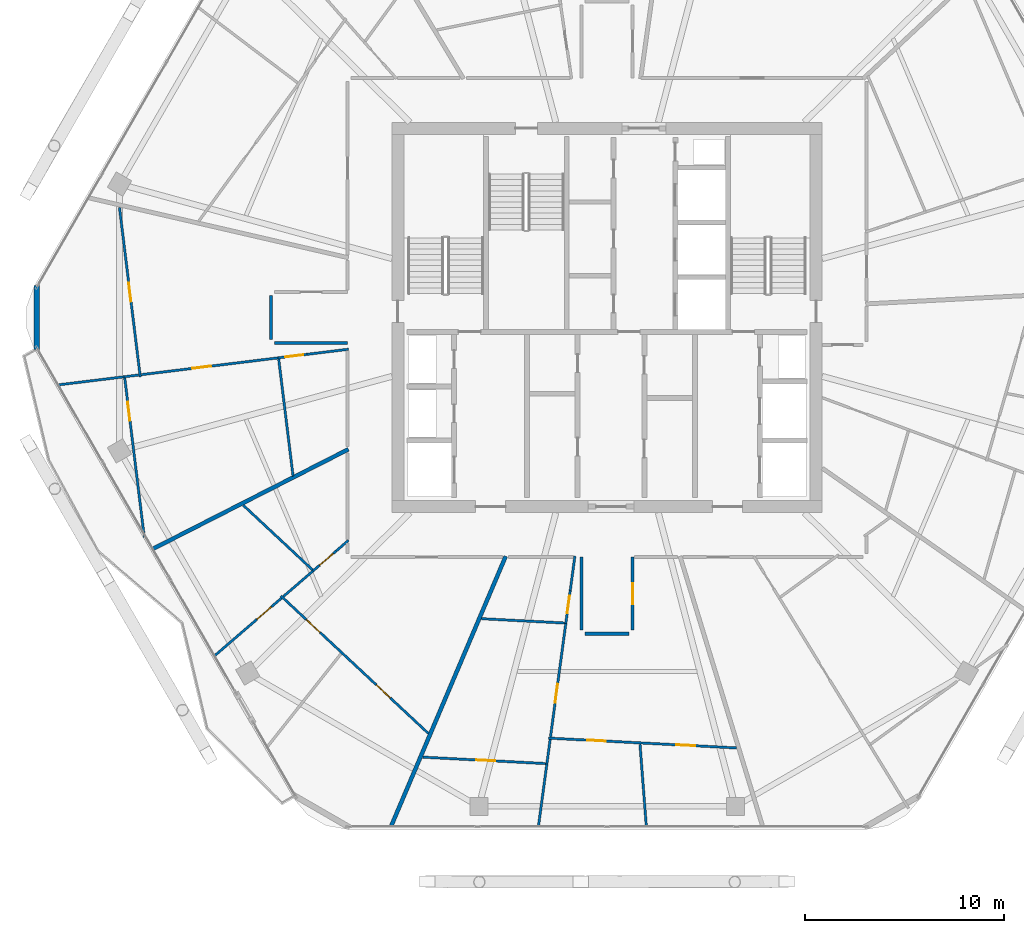
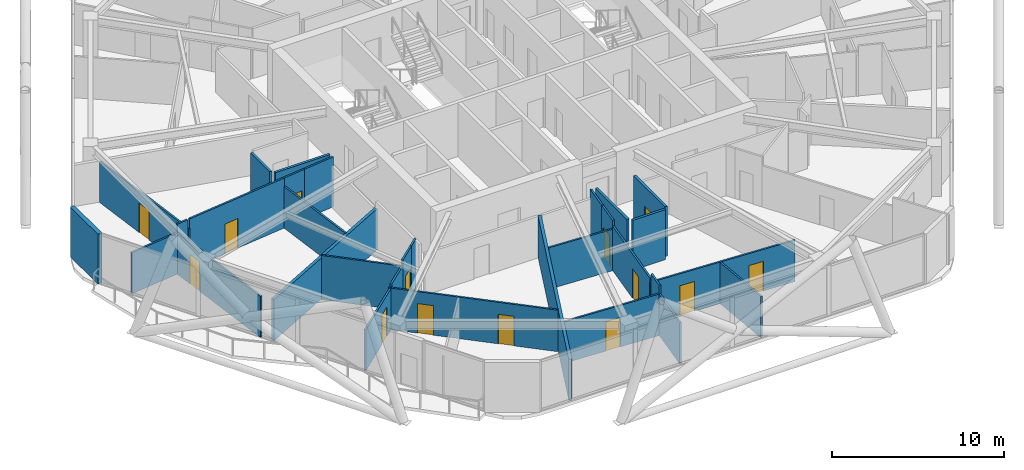
# One storey, part 20 of 27: 31 walls, 14 doors, 14 openings.
"""IFC4 building model written with IfcOpenShell, lengths in metres."""

from ifc_helpers import new_model, si_unit, direction, frame, frame_2d, origin, place, context, subcontext, project, spatial, rectangle, extrude, material, layer, layer_set, type_object, element, fill, save


model = new_model("IFC4")

# Units and contexts
model_context = context("Model", 3, precision=1e-05, world=origin(), true_north=direction((0.0, 1.0)))
body_context = subcontext(model_context, "Body", "Model", "MODEL_VIEW")
ifc_project = project(units=[si_unit("LENGTHUNIT", "METRE"), si_unit("AREAUNIT", "SQUARE_METRE"), si_unit("VOLUMEUNIT", "CUBIC_METRE"), si_unit("PLANEANGLEUNIT", "RADIAN"), si_unit("MASSUNIT", "GRAM", prefix="KILO")], contexts=[model_context])

# Site, building, storey
site_placement = place(None, origin())
site = spatial("IfcSite", under=ifc_project, at=site_placement, CompositionType="ELEMENT")
building_placement = place(site_placement, origin())
building = spatial("IfcBuilding", under=site, at=building_placement, Name="Zuhravey Tower", CompositionType="ELEMENT")
storey_placement = place(building_placement, frame((0.0, 0.0, 261.60009765625)))
storey = spatial("IfcBuildingStorey", under=building, at=storey_placement, Name="L66", CompositionType="ELEMENT", Elevation=261.60009765625)

# Wall, opening, door
ifc_material_1 = material(Name="Gypsum fire-rated stud partition")
ifc_layer_1 = layer(ifc_material_1, 0.159912109375)
ifc_layer_set_1 = layer_set([ifc_layer_1], Name="Gypsum fire-rated stud partition")
wall_type_1 = type_object("IfcWallType", Name="Corridor Fire Partition 160", PredefinedType="PARTITIONING", material=ifc_layer_set_1)
wall_1_placement = place(storey_placement, frame((37.280029296875, 16.300048828125, 0.0), z_axis=(0.0, 0.0, 1.0), x_axis=(0.0, 1.0, 0.0)))
wall_1 = element("IfcWall", 1, at=wall_1_placement, inside=storey, type_object=wall_type_1, Name="L66 IW16 Partition 041", PredefinedType="PARTITIONING", context=body_context, shape_type="SweptSolid", body=[
    extrude(rectangle(XDim=3.669921875, YDim=0.159912109375, at=frame_2d((1.8349609375, 0.0))), origin(), (0.0, 0.0, 1.0), 3.5498046875),
])
opening_1_placement = place(wall_1_placement, frame((1.31005859375, 0.0, 0.0)))
opening_1 = element("IfcOpeningElement", 2, at=opening_1_placement, cuts=wall_1, Name="Opening APD1", PredefinedType="OPENING", context=body_context, shape_type="SweptSolid", body=[
    extrude(rectangle(XDim=1.050048828125, YDim=2.14990234375, at=frame_2d((0.52490234375, 1.074951171875))), frame((0.0, 0.092041015625, 0.0), z_axis=(0.0, -1.0, 0.0), x_axis=(1.0, 0.0, 0.0)), (0.0, 0.0, 1.0), 0.183837890625),
])
ifc_material_2 = material(Name="Solid-core oak fire-rated leaf")
door_type_1 = type_object("IfcDoorType", Name="Apartment Entrance Fire Door 1050x2150", OperationType="NOTDEFINED", PredefinedType="DOOR", material=ifc_material_2)
door_1_placement = place(opening_1_placement, frame((1.050048828125, 0.0, 0.0), z_axis=(0.0, 0.0, 1.0), x_axis=(-1.0, 0.0, 0.0)))
door_1 = element("IfcDoor", 3, at=door_1_placement, inside=storey, type_object=door_type_1, Name="L66 Door 041.1", OperationType="SINGLE_SWING_RIGHT", OverallHeight=2.14990234375, OverallWidth=1.050048828125, PredefinedType="DOOR", context=body_context, shape_type="SweptSolid", body=[
    extrude(rectangle(XDim=1.050048828125, YDim=2.14990234375, at=frame_2d((0.52490234375, 1.074951171875))), frame((0.0, 0.02490234375, 0.0), z_axis=(0.0, -1.0, 0.0), x_axis=(1.0, 0.0, 0.0)), (0.0, 0.0, 1.0), 0.050048828125),
])
fill(opening_1, door_1)

# Walls
wall_2_placement = place(storey_placement, frame((19.300048828125, 30.719970703125, 0.0), z_axis=(0.0, 0.0, 1.0), x_axis=(1.0, 0.0, 0.0)))
element("IfcWall", 4, at=wall_2_placement, inside=storey, type_object=wall_type_1, Name="L66 IW16 Partition 105", PredefinedType="PARTITIONING", context=body_context, shape_type="SweptSolid", body=[
    extrude(rectangle(XDim=3.669921875, YDim=0.159912109375, at=frame_2d((1.8349609375, 0.0))), origin(), (0.0, 0.0, 1.0), 3.5498046875),
])
wall_3_placement = place(storey_placement, frame((19.1201171875, 33.10009765625, 0.0), z_axis=(0.0, 0.0, 1.0), x_axis=(0.0, -1.0, 0.0)))
element("IfcWall", 5, at=wall_3_placement, inside=storey, type_object=wall_type_1, Name="L66 IW16 Partition 106", PredefinedType="PARTITIONING", context=body_context, shape_type="SweptSolid", body=[
    extrude(rectangle(XDim=2.2001953125, YDim=0.159912109375, at=frame_2d((1.10009765625, 0.0))), origin(), (0.0, 0.0, 1.0), 3.5498046875),
])
wall_4_placement = place(storey_placement, frame((34.719970703125, 19.969970703125, 0.0), z_axis=(0.0, 0.0, 1.0), x_axis=(0.0, -1.0, 0.0)))
element("IfcWall", 6, at=wall_4_placement, inside=storey, type_object=wall_type_1, Name="L66 IW16 Partition 111", PredefinedType="PARTITIONING", context=body_context, shape_type="SweptSolid", body=[
    extrude(rectangle(XDim=3.669921875, YDim=0.159912109375, at=frame_2d((1.8349609375, 0.0))), origin(), (0.0, 0.0, 1.0), 3.5498046875),
])
wall_5_placement = place(storey_placement, frame((34.89990234375, 16.1201171875, 0.0), z_axis=(0.0, 0.0, 1.0), x_axis=(1.0, 0.0, 0.0)))
element("IfcWall", 7, at=wall_5_placement, inside=storey, type_object=wall_type_1, Name="L66 IW16 Partition 113", PredefinedType="PARTITIONING", context=body_context, shape_type="SweptSolid", body=[
    extrude(rectangle(XDim=2.2001953125, YDim=0.159912109375, at=frame_2d((1.10009765625, 0.0))), origin(), (0.0, 0.0, 1.0), 3.5498046875),
])
ifc_material_3 = material(Name="Precast concrete C40/50", Category="concrete")
ifc_layer_2 = layer(ifc_material_3, 0.280029296875)
ifc_layer_set_2 = layer_set([ifc_layer_2], Name="Precast concrete C40/50")
wall_type_2 = type_object("IfcWallType", Name="Crown Architectural Wall 280", PredefinedType="SOLIDWALL", material=ifc_layer_set_2)
wall_6_placement = place(storey_placement, frame((7.35498046875, 30.392578125, 0.0), z_axis=(0.0, 0.0, 1.0), x_axis=(0.0, 1.0, 0.0)))
element("IfcWall", 8, at=wall_6_placement, inside=storey, type_object=wall_type_2, Name="L66 Rounded Corner Closure Wall EW28-06", PredefinedType="SOLIDWALL", context=body_context, shape_type="SweptSolid", body=[
    extrude(rectangle(XDim=3.21484375, YDim=0.280029296875, at=frame_2d((1.607421875, 0.0))), origin(), (0.0, 0.0, 1.0), 3.5498046875),
])
ifc_material_4 = material(Name="Gypsum double-stud party assembly")
ifc_layer_3 = layer(ifc_material_4, 0.199951171875)
ifc_layer_set_3 = layer_set([ifc_layer_3], Name="Gypsum double-stud party assembly")
wall_type_3 = type_object("IfcWallType", Name="Inter-Tenancy Party Wall 200", PredefinedType="PARTITIONING", material=ifc_layer_set_3)
wall_7_placement = place(storey_placement, frame((23.010009765625, 25.38134765625, 0.0), z_axis=(0.0, 0.0, 1.0), x_axis=(-0.891002805017, -0.453997798951, 0.0)))
element("IfcWall", 9, at=wall_7_placement, inside=storey, type_object=wall_type_3, Name="L66 IW20 Partition 075", PredefinedType="PARTITIONING", context=body_context, shape_type="SweptSolid", body=[
    extrude(rectangle(XDim=11.019775390625, YDim=0.199951171875, at=frame_2d((5.509765625, 0.0))), origin(), (0.0, 0.0, 1.0), 2.929931640625),
])
wall_8_placement = place(storey_placement, frame((30.910400390625, 20.010009765625, 0.0), z_axis=(0.0, 0.0, 1.0), x_axis=(-0.390717789384, -0.920510515453, 0.0)))
element("IfcWall", 10, at=wall_8_placement, inside=storey, type_object=wall_type_3, Name="L66 IW20 Partition 079", PredefinedType="PARTITIONING", context=body_context, shape_type="SweptSolid", body=[
    extrude(rectangle(XDim=14.745849609375, YDim=0.199951171875, at=frame_2d((7.373046875, 0.0))), origin(), (0.0, 0.0, 1.0), 2.929931640625),
])

# Wall, opening, door
ifc_material_5 = material(Name="Gypsum metal-stud partition")
ifc_layer_4 = layer(ifc_material_5, 0.1201171875)
ifc_layer_set_4 = layer_set([ifc_layer_4], Name="Gypsum metal-stud partition")
wall_type_4 = type_object("IfcWallType", Name="Unit Internal Partition 120", PredefinedType="PARTITIONING", material=ifc_layer_set_4)
wall_9_placement = place(storey_placement, frame((11.512939453125, 37.531005859375, 0.0), z_axis=(0.0, 0.0, 1.0), x_axis=(0.121872108215, -0.992545812161, 0.0)))
wall_9 = element("IfcWall", 11, at=wall_9_placement, inside=storey, type_object=wall_type_4, Name="L66 IW12 Partition 025", PredefinedType="PARTITIONING", context=body_context, shape_type="SweptSolid", body=[
    extrude(rectangle(XDim=8.573974609375, YDim=0.1201171875, at=frame_2d((4.287109375, 0.0))), origin(), (0.0, 0.0, 1.0), 2.929931640625),
])
opening_2_placement = place(wall_9_placement, frame((3.81201171875, 0.0, 0.0)))
opening_2 = element("IfcOpeningElement", 12, at=opening_2_placement, cuts=wall_9, Name="Opening IND1", PredefinedType="OPENING", context=body_context, shape_type="SweptSolid", body=[
    extrude(rectangle(XDim=0.949951171875, YDim=2.10009765625, at=frame_2d((0.47509765625, 1.050048828125))), frame((0.0, 0.072021484375, 0.0), z_axis=(0.0, -1.0, 0.0), x_axis=(1.0, 0.0, 0.0)), (0.0, 0.0, 1.0), 0.14404296875),
])
ifc_material_6 = material(Name="Painted engineered timber leaf", Category="wood")
door_type_2 = type_object("IfcDoorType", Name="Internal Room & Bedroom Door 950x2100", OperationType="NOTDEFINED", PredefinedType="DOOR", material=ifc_material_6)
door_2_placement = place(opening_2_placement, frame((0.949951171875, 0.0, 0.0), z_axis=(0.0, 0.0, 1.0), x_axis=(-1.0, 0.0, 0.0)))
door_2 = element("IfcDoor", 13, at=door_2_placement, inside=storey, type_object=door_type_2, Name="Apartment L66-02 Family Study Door", OperationType="SINGLE_SWING_LEFT", OverallHeight=2.10009765625, OverallWidth=0.949951171875, PredefinedType="DOOR", context=body_context, shape_type="SweptSolid", body=[
    extrude(rectangle(XDim=0.949951171875, YDim=2.10009765625, at=frame_2d((0.47509765625, 1.050048828125))), frame((0.0, 0.02490234375, 0.0), z_axis=(0.0, -1.0, 0.0), x_axis=(1.0, 0.0, 0.0)), (0.0, 0.0, 1.0), 0.050048828125),
])
fill(opening_2, door_2)

wall_10_placement = place(storey_placement, frame((20.932861328125, 30.14990234375, 0.0), z_axis=(0.0, 0.0, 1.0), x_axis=(-0.992546988371, -0.121862528596, 0.0)))
wall_10 = element("IfcWall", 14, at=wall_10_placement, inside=storey, type_object=wall_type_4, Name="L66 IW12 Partition 026", PredefinedType="PARTITIONING", context=body_context, shape_type="SweptSolid", body=[
    extrude(rectangle(XDim=1.466552734375, YDim=0.1201171875, at=frame_2d((0.7333984375, 0.0))), origin(), (0.0, 0.0, 1.0), 3.5498046875),
])
opening_3_placement = place(wall_10_placement, frame((0.199951171875, 0.0, 0.0)))
opening_3 = element("IfcOpeningElement", 15, at=opening_3_placement, cuts=wall_10, Name="Opening WCD1", PredefinedType="OPENING", context=body_context, shape_type="SweptSolid", body=[
    extrude(rectangle(XDim=0.89990234375, YDim=2.10009765625, at=frame_2d((0.449951171875, 1.050048828125))), frame((0.0, 0.072021484375, 0.0), z_axis=(0.0, -1.0, 0.0), x_axis=(1.0, 0.0, 0.0)), (0.0, 0.0, 1.0), 0.14404296875),
])
ifc_material_7 = material(Name="Moisture-resistant timber leaf", Category="wood")
door_type_3 = type_object("IfcDoorType", Name="Bathroom & WC Internal Door 900x2100", OperationType="NOTDEFINED", PredefinedType="DOOR", material=ifc_material_7)
door_3_placement = place(opening_3_placement, origin())
door_3 = element("IfcDoor", 16, at=door_3_placement, inside=storey, type_object=door_type_3, Name="Apartment L66-02 Bathroom Door", OperationType="SINGLE_SWING_RIGHT", OverallHeight=2.10009765625, OverallWidth=0.89990234375, PredefinedType="DOOR", context=body_context, shape_type="SweptSolid", body=[
    extrude(rectangle(XDim=0.89990234375, YDim=2.10009765625, at=frame_2d((0.449951171875, 1.050048828125))), frame((0.0, 0.02490234375, 0.0), z_axis=(0.0, -1.0, 0.0), x_axis=(1.0, 0.0, 0.0)), (0.0, 0.0, 1.0), 0.050048828125),
])
fill(opening_3, door_3)

wall_11_placement = place(storey_placement, frame((19.477294921875, 29.97119140625, 0.0), z_axis=(0.0, 0.0, 1.0), x_axis=(-0.992546527123, -0.121866285315, 0.0)))
wall_11 = element("IfcWall", 17, at=wall_11_placement, inside=storey, type_object=wall_type_4, Name="L66 IW12 Partition 027", PredefinedType="PARTITIONING", context=body_context, shape_type="SweptSolid", body=[
    extrude(rectangle(XDim=6.91552734375, YDim=0.1201171875, at=frame_2d((3.457763671875, 0.0))), origin(), (0.0, 0.0, 1.0), 3.5498046875),
])
opening_4_placement = place(wall_11_placement, frame((3.394775390625, 0.0, 0.0)))
opening_4 = element("IfcOpeningElement", 18, at=opening_4_placement, cuts=wall_11, Name="Opening IND1", PredefinedType="OPENING", context=body_context, shape_type="SweptSolid", body=[
    extrude(rectangle(XDim=0.949951171875, YDim=2.10009765625, at=frame_2d((0.47509765625, 1.050048828125))), frame((0.0, 0.072021484375, 0.0), z_axis=(0.0, -1.0, 0.0), x_axis=(1.0, 0.0, 0.0)), (0.0, 0.0, 1.0), 0.14404296875),
])
door_4_placement = place(opening_4_placement, origin())
door_4 = element("IfcDoor", 19, at=door_4_placement, inside=storey, type_object=door_type_2, Name="Apartment L66-02 Home Office Door", OperationType="SINGLE_SWING_LEFT", OverallHeight=2.10009765625, OverallWidth=0.949951171875, PredefinedType="DOOR", context=body_context, shape_type="SweptSolid", body=[
    extrude(rectangle(XDim=0.949951171875, YDim=2.10009765625, at=frame_2d((0.47509765625, 1.050048828125))), frame((0.0, 0.02490234375, 0.0), z_axis=(0.0, -1.0, 0.0), x_axis=(1.0, 0.0, 0.0)), (0.0, 0.0, 1.0), 0.050048828125),
])
fill(opening_4, door_4)

# Wall
wall_12_placement = place(storey_placement, frame((12.478271484375, 29.11181640625, 0.0), z_axis=(0.0, 0.0, 1.0), x_axis=(-0.992560299451, -0.121754063399, 0.0)))
element("IfcWall", 20, at=wall_12_placement, inside=storey, type_object=wall_type_4, Name="L66 IW12 Partition 028", PredefinedType="PARTITIONING", context=body_context, shape_type="SweptSolid", body=[
    extrude(rectangle(XDim=0.73779296875, YDim=0.1201171875, at=frame_2d((0.368896484375, 0.0))), origin(), (0.0, 0.0, 1.0), 3.5498046875),
])

# Wall, opening, door
wall_13_placement = place(storey_placement, frame((11.779052734375, 28.95751953125, 0.0), z_axis=(0.0, 0.0, 1.0), x_axis=(0.121881345425, -0.992544677905, 0.0)))
wall_13 = element("IfcWall", 21, at=wall_13_placement, inside=storey, type_object=wall_type_4, Name="L66 IW12 Partition 029", PredefinedType="PARTITIONING", context=body_context, shape_type="SweptSolid", body=[
    extrude(rectangle(XDim=8.052490234375, YDim=0.1201171875, at=frame_2d((4.0263671875, 0.0))), origin(), (0.0, 0.0, 1.0), 2.929931640625),
])
opening_5_placement = place(wall_13_placement, frame((1.209228515625, 0.0, 0.0)))
opening_5 = element("IfcOpeningElement", 22, at=opening_5_placement, cuts=wall_13, Name="Opening IND1", PredefinedType="OPENING", context=body_context, shape_type="SweptSolid", body=[
    extrude(rectangle(XDim=0.949951171875, YDim=2.10009765625, at=frame_2d((0.47509765625, 1.050048828125))), frame((0.0, 0.072021484375, 0.0), z_axis=(0.0, -1.0, 0.0), x_axis=(1.0, 0.0, 0.0)), (0.0, 0.0, 1.0), 0.14404296875),
])
door_5_placement = place(opening_5_placement, frame((0.949951171875, 0.0, 0.0), z_axis=(0.0, 0.0, 1.0), x_axis=(-1.0, 0.0, 0.0)))
door_5 = element("IfcDoor", 23, at=door_5_placement, inside=storey, type_object=door_type_2, Name="Apartment L66-02 Bedroom 1 Door", OperationType="SINGLE_SWING_RIGHT", OverallHeight=2.10009765625, OverallWidth=0.949951171875, PredefinedType="DOOR", context=body_context, shape_type="SweptSolid", body=[
    extrude(rectangle(XDim=0.949951171875, YDim=2.10009765625, at=frame_2d((0.47509765625, 1.050048828125))), frame((0.0, 0.02490234375, 0.0), z_axis=(0.0, -1.0, 0.0), x_axis=(1.0, 0.0, 0.0)), (0.0, 0.0, 1.0), 0.050048828125),
])
fill(opening_5, door_5)

# Wall, openings, doors
wall_14_placement = place(storey_placement, frame((19.623291015625, 18.01611328125, 0.0), z_axis=(0.0, 0.0, 1.0), x_axis=(0.731336709618, -0.682016581298, 0.0)))
wall_14 = element("IfcWall", 24, at=wall_14_placement, inside=storey, type_object=wall_type_4, Name="L66 IW12 Partition 031", PredefinedType="PARTITIONING", context=body_context, shape_type="SweptSolid", body=[
    extrude(rectangle(XDim=10.123046875, YDim=0.1201171875, at=frame_2d((5.0615234375, 0.0))), origin(), (0.0, 0.0, 1.0), 2.949951171875),
])
opening_6_placement = place(wall_14_placement, frame((1.734619140625, 0.0, 0.0)))
opening_6 = element("IfcOpeningElement", 25, at=opening_6_placement, cuts=wall_14, Name="Opening IND1", PredefinedType="OPENING", context=body_context, shape_type="SweptSolid", body=[
    extrude(rectangle(XDim=0.949951171875, YDim=2.10009765625, at=frame_2d((0.47509765625, 1.050048828125))), frame((0.0, 0.072021484375, 0.0), z_axis=(0.0, -1.0, 0.0), x_axis=(1.0, 0.0, 0.0)), (0.0, 0.0, 1.0), 0.14404296875),
])
opening_7_placement = place(wall_14_placement, frame((6.555908203125, 0.0, 0.0)))
opening_7 = element("IfcOpeningElement", 26, at=opening_7_placement, cuts=wall_14, Name="Opening IND1", PredefinedType="OPENING", context=body_context, shape_type="SweptSolid", body=[
    extrude(rectangle(XDim=0.949951171875, YDim=2.10009765625, at=frame_2d((0.47509765625, 1.050048828125))), frame((0.0, 0.072021484375, 0.0), z_axis=(0.0, -1.0, 0.0), x_axis=(1.0, 0.0, 0.0)), (0.0, 0.0, 1.0), 0.14404296875),
])
door_6_placement = place(opening_6_placement, frame((0.949951171875, 0.0, 0.0), z_axis=(0.0, 0.0, 1.0), x_axis=(-1.0, 0.0, 0.0)))
door_6 = element("IfcDoor", 27, at=door_6_placement, inside=storey, type_object=door_type_2, Name="Apartment L66-03 Family Study Door", OperationType="SINGLE_SWING_RIGHT", OverallHeight=2.10009765625, OverallWidth=0.949951171875, PredefinedType="DOOR", context=body_context, shape_type="SweptSolid", body=[
    extrude(rectangle(XDim=0.949951171875, YDim=2.10009765625, at=frame_2d((0.47509765625, 1.050048828125))), frame((0.0, 0.02490234375, 0.0), z_axis=(0.0, -1.0, 0.0), x_axis=(1.0, 0.0, 0.0)), (0.0, 0.0, 1.0), 0.050048828125),
])
fill(opening_6, door_6)
door_7_placement = place(opening_7_placement, frame((0.949951171875, 0.0, 0.0), z_axis=(0.0, 0.0, 1.0), x_axis=(-1.0, 0.0, 0.0)))
door_7 = element("IfcDoor", 28, at=door_7_placement, inside=storey, type_object=door_type_2, Name="Apartment L66-03 Dining Room Door", OperationType="SINGLE_SWING_LEFT", OverallHeight=2.10009765625, OverallWidth=0.949951171875, PredefinedType="DOOR", context=body_context, shape_type="SweptSolid", body=[
    extrude(rectangle(XDim=0.949951171875, YDim=2.10009765625, at=frame_2d((0.47509765625, 1.050048828125))), frame((0.0, 0.02490234375, 0.0), z_axis=(0.0, -1.0, 0.0), x_axis=(1.0, 0.0, 0.0)), (0.0, 0.0, 1.0), 0.050048828125),
])
fill(opening_7, door_7)

# Wall, opening, door
wall_15_placement = place(storey_placement, frame((22.39990234375, 20.27734375, 0.0), z_axis=(0.0, 0.0, 1.0), x_axis=(-0.757453187735, -0.652889476397, 0.0)))
wall_15 = element("IfcWall", 29, at=wall_15_placement, inside=storey, type_object=wall_type_4, Name="L66 IW12 Partition 032", PredefinedType="PARTITIONING", context=body_context, shape_type="SweptSolid", body=[
    extrude(rectangle(XDim=1.541015625, YDim=0.1201171875, at=frame_2d((0.7705078125, 0.0))), origin(), (0.0, 0.0, 1.0), 3.5498046875),
])
opening_8_placement = place(wall_15_placement, frame((0.199951171875, 0.0, 0.0)))
opening_8 = element("IfcOpeningElement", 30, at=opening_8_placement, cuts=wall_15, Name="Opening WCD1", PredefinedType="OPENING", context=body_context, shape_type="SweptSolid", body=[
    extrude(rectangle(XDim=0.89990234375, YDim=2.10009765625, at=frame_2d((0.449951171875, 1.050048828125))), frame((0.0, 0.072021484375, 0.0), z_axis=(0.0, -1.0, 0.0), x_axis=(1.0, 0.0, 0.0)), (0.0, 0.0, 1.0), 0.14404296875),
])
door_8_placement = place(opening_8_placement, frame((0.89990234375, 0.0, 0.0), z_axis=(0.0, 0.0, 1.0), x_axis=(-1.0, 0.0, 0.0)))
door_8 = element("IfcDoor", 31, at=door_8_placement, inside=storey, type_object=door_type_3, Name="Apartment L66-03 Bathroom Door", OperationType="SINGLE_SWING_RIGHT", OverallHeight=2.10009765625, OverallWidth=0.89990234375, PredefinedType="DOOR", context=body_context, shape_type="SweptSolid", body=[
    extrude(rectangle(XDim=0.89990234375, YDim=2.10009765625, at=frame_2d((0.449951171875, 1.050048828125))), frame((0.0, 0.02490234375, 0.0), z_axis=(0.0, -1.0, 0.0), x_axis=(1.0, 0.0, 0.0)), (0.0, 0.0, 1.0), 0.050048828125),
])
fill(opening_8, door_8)

# Wall
wall_16_placement = place(storey_placement, frame((21.232666015625, 19.271240234375, 0.0), z_axis=(0.0, 0.0, 1.0), x_axis=(-0.757388710943, -0.652964272021, 0.0)))
element("IfcWall", 32, at=wall_16_placement, inside=storey, type_object=wall_type_4, Name="L66 IW12 Partition 033", PredefinedType="PARTITIONING", context=body_context, shape_type="SweptSolid", body=[
    extrude(rectangle(XDim=1.959228515625, YDim=0.1201171875, at=frame_2d((0.9794921875, 0.0))), origin(), (0.0, 0.0, 1.0), 3.14990234375),
])

# Wall, opening, door
wall_17_placement = place(storey_placement, frame((19.64501953125, 17.902587890625, 0.0), z_axis=(0.0, 0.0, 1.0), x_axis=(-0.757457852789, -0.652884064171, 0.0)))
wall_17 = element("IfcWall", 33, at=wall_17_placement, inside=storey, type_object=wall_type_4, Name="L66 IW12 Partition 034", PredefinedType="PARTITIONING", context=body_context, shape_type="SweptSolid", body=[
    extrude(rectangle(XDim=4.433349609375, YDim=0.1201171875, at=frame_2d((2.216796875, 0.0))), origin(), (0.0, 0.0, 1.0), 2.929931640625),
])
opening_9_placement = place(wall_17_placement, frame((0.668701171875, 0.0, 0.0)))
opening_9 = element("IfcOpeningElement", 34, at=opening_9_placement, cuts=wall_17, Name="Opening IND1", PredefinedType="OPENING", context=body_context, shape_type="SweptSolid", body=[
    extrude(rectangle(XDim=0.949951171875, YDim=2.10009765625, at=frame_2d((0.47509765625, 1.050048828125))), frame((0.0, 0.072021484375, 0.0), z_axis=(0.0, -1.0, 0.0), x_axis=(1.0, 0.0, 0.0)), (0.0, 0.0, 1.0), 0.14404296875),
])
door_9_placement = place(opening_9_placement, frame((0.949951171875, 0.0, 0.0), z_axis=(0.0, 0.0, 1.0), x_axis=(-1.0, 0.0, 0.0)))
door_9 = element("IfcDoor", 35, at=door_9_placement, inside=storey, type_object=door_type_2, Name="Apartment L66-03 Bedroom 1 Door", OperationType="SINGLE_SWING_LEFT", OverallHeight=2.10009765625, OverallWidth=0.949951171875, PredefinedType="DOOR", context=body_context, shape_type="SweptSolid", body=[
    extrude(rectangle(XDim=0.949951171875, YDim=2.10009765625, at=frame_2d((0.47509765625, 1.050048828125))), frame((0.0, 0.02490234375, 0.0), z_axis=(0.0, -1.0, 0.0), x_axis=(1.0, 0.0, 0.0)), (0.0, 0.0, 1.0), 0.050048828125),
])
fill(opening_9, door_9)

# Wall, openings, doors
wall_18_placement = place(storey_placement, frame((33.05078125, 10.878662109375, 0.0), z_axis=(0.0, 0.0, 1.0), x_axis=(0.998629555411, -0.052335562088, 0.0)))
wall_18 = element("IfcWall", 36, at=wall_18_placement, inside=storey, type_object=wall_type_4, Name="L66 IW12 Partition 036", PredefinedType="PARTITIONING", context=body_context, shape_type="SweptSolid", body=[
    extrude(rectangle(XDim=9.4697265625, YDim=0.1201171875, at=frame_2d((4.73486328125, 0.0))), origin(), (0.0, 0.0, 1.0), 2.949951171875),
])
opening_10_placement = place(wall_18_placement, frame((1.947509765625, 0.0, 0.0)))
opening_10 = element("IfcOpeningElement", 37, at=opening_10_placement, cuts=wall_18, Name="Opening IND1", PredefinedType="OPENING", context=body_context, shape_type="SweptSolid", body=[
    extrude(rectangle(XDim=0.949951171875, YDim=2.10009765625, at=frame_2d((0.47509765625, 1.050048828125))), frame((0.0, 0.072021484375, 0.0), z_axis=(0.0, -1.0, 0.0), x_axis=(1.0, 0.0, 0.0)), (0.0, 0.0, 1.0), 0.14404296875),
])
opening_11_placement = place(wall_18_placement, frame((6.44140625, 0.0, 0.0)))
opening_11 = element("IfcOpeningElement", 38, at=opening_11_placement, cuts=wall_18, Name="Opening IND1", PredefinedType="OPENING", context=body_context, shape_type="SweptSolid", body=[
    extrude(rectangle(XDim=0.949951171875, YDim=2.10009765625, at=frame_2d((0.47509765625, 1.050048828125))), frame((0.0, 0.072021484375, 0.0), z_axis=(0.0, -1.0, 0.0), x_axis=(1.0, 0.0, 0.0)), (0.0, 0.0, 1.0), 0.14404296875),
])
door_10_placement = place(opening_10_placement, frame((0.949951171875, 0.0, 0.0), z_axis=(0.0, 0.0, 1.0), x_axis=(-1.0, 0.0, 0.0)))
door_10 = element("IfcDoor", 39, at=door_10_placement, inside=storey, type_object=door_type_2, Name="Apartment L66-04 Family Study Door", OperationType="SINGLE_SWING_LEFT", OverallHeight=2.10009765625, OverallWidth=0.949951171875, PredefinedType="DOOR", context=body_context, shape_type="SweptSolid", body=[
    extrude(rectangle(XDim=0.949951171875, YDim=2.10009765625, at=frame_2d((0.47509765625, 1.050048828125))), frame((0.0, 0.02490234375, 0.0), z_axis=(0.0, -1.0, 0.0), x_axis=(1.0, 0.0, 0.0)), (0.0, 0.0, 1.0), 0.050048828125),
])
fill(opening_10, door_10)
door_11_placement = place(opening_11_placement, frame((0.949951171875, 0.0, 0.0), z_axis=(0.0, 0.0, 1.0), x_axis=(-1.0, 0.0, 0.0)))
door_11 = element("IfcDoor", 40, at=door_11_placement, inside=storey, type_object=door_type_2, Name="Apartment L66-04 Dining Room Door", OperationType="SINGLE_SWING_RIGHT", OverallHeight=2.10009765625, OverallWidth=0.949951171875, PredefinedType="DOOR", context=body_context, shape_type="SweptSolid", body=[
    extrude(rectangle(XDim=0.949951171875, YDim=2.10009765625, at=frame_2d((0.47509765625, 1.050048828125))), frame((0.0, 0.02490234375, 0.0), z_axis=(0.0, -1.0, 0.0), x_axis=(1.0, 0.0, 0.0)), (0.0, 0.0, 1.0), 0.050048828125),
])
fill(opening_11, door_11)

# Wall, opening, door
wall_19_placement = place(storey_placement, frame((34.14990234375, 18.281005859375, 0.0), z_axis=(0.0, 0.0, 1.0), x_axis=(-0.133630411979, -0.991031237144, 0.0)))
wall_19 = element("IfcWall", 41, at=wall_19_placement, inside=storey, type_object=wall_type_4, Name="L66 IW12 Partition 037", PredefinedType="PARTITIONING", context=body_context, shape_type="SweptSolid", body=[
    extrude(rectangle(XDim=1.66796875, YDim=0.1201171875, at=frame_2d((0.833984375, 0.0))), origin(), (0.0, 0.0, 1.0), 3.5498046875),
])
opening_12_placement = place(wall_19_placement, frame((0.25048828125, 0.0, 0.0)))
opening_12 = element("IfcOpeningElement", 42, at=opening_12_placement, cuts=wall_19, Name="Opening WCD1", PredefinedType="OPENING", context=body_context, shape_type="SweptSolid", body=[
    extrude(rectangle(XDim=0.89990234375, YDim=2.10009765625, at=frame_2d((0.449951171875, 1.050048828125))), frame((0.0, 0.072021484375, 0.0), z_axis=(0.0, -1.0, 0.0), x_axis=(1.0, 0.0, 0.0)), (0.0, 0.0, 1.0), 0.14404296875),
])
door_12_placement = place(opening_12_placement, frame((0.89990234375, 0.0, 0.0), z_axis=(0.0, 0.0, 1.0), x_axis=(-1.0, 0.0, 0.0)))
door_12 = element("IfcDoor", 43, at=door_12_placement, inside=storey, type_object=door_type_3, Name="Apartment L66-04 Bathroom Door", OperationType="SINGLE_SWING_LEFT", OverallHeight=2.10009765625, OverallWidth=0.89990234375, PredefinedType="DOOR", context=body_context, shape_type="SweptSolid", body=[
    extrude(rectangle(XDim=0.89990234375, YDim=2.10009765625, at=frame_2d((0.449951171875, 1.050048828125))), frame((0.0, 0.02490234375, 0.0), z_axis=(0.0, -1.0, 0.0), x_axis=(1.0, 0.0, 0.0)), (0.0, 0.0, 1.0), 0.050048828125),
])
fill(opening_12, door_12)

wall_20_placement = place(storey_placement, frame((33.927001953125, 16.6279296875, 0.0), z_axis=(0.0, 0.0, 1.0), x_axis=(-0.133632195437, -0.991030996661, 0.0)))
wall_20 = element("IfcWall", 44, at=wall_20_placement, inside=storey, type_object=wall_type_4, Name="L66 IW12 Partition 038", PredefinedType="PARTITIONING", context=body_context, shape_type="SweptSolid", body=[
    extrude(rectangle(XDim=5.738525390625, YDim=0.1201171875, at=frame_2d((2.869140625, 0.0))), origin(), (0.0, 0.0, 1.0), 3.14990234375),
])
opening_13_placement = place(wall_20_placement, frame((3.060791015625, 0.0, 0.0)))
opening_13 = element("IfcOpeningElement", 45, at=opening_13_placement, cuts=wall_20, Name="Opening IND1", PredefinedType="OPENING", context=body_context, shape_type="SweptSolid", body=[
    extrude(rectangle(XDim=0.949951171875, YDim=2.10009765625, at=frame_2d((0.47509765625, 1.050048828125))), frame((0.0, 0.072021484375, 0.0), z_axis=(0.0, -1.0, 0.0), x_axis=(1.0, 0.0, 0.0)), (0.0, 0.0, 1.0), 0.14404296875),
])
door_13_placement = place(opening_13_placement, frame((0.949951171875, 0.0, 0.0), z_axis=(0.0, 0.0, 1.0), x_axis=(-1.0, 0.0, 0.0)))
door_13 = element("IfcDoor", 46, at=door_13_placement, inside=storey, type_object=door_type_2, Name="Apartment L66-04 Home Office Door", OperationType="SINGLE_SWING_RIGHT", OverallHeight=2.10009765625, OverallWidth=0.949951171875, PredefinedType="DOOR", context=body_context, shape_type="SweptSolid", body=[
    extrude(rectangle(XDim=0.949951171875, YDim=2.10009765625, at=frame_2d((0.47509765625, 1.050048828125))), frame((0.0, 0.02490234375, 0.0), z_axis=(0.0, -1.0, 0.0), x_axis=(1.0, 0.0, 0.0)), (0.0, 0.0, 1.0), 0.050048828125),
])
fill(opening_13, door_13)

# Wall
wall_21_placement = place(storey_placement, frame((33.141845703125, 10.8056640625, 0.0), z_axis=(0.0, 0.0, 1.0), x_axis=(-0.133574786173, -0.991038736124, 0.0)))
element("IfcWall", 47, at=wall_21_placement, inside=storey, type_object=wall_type_4, Name="L66 IW12 Partition 039", PredefinedType="PARTITIONING", context=body_context, shape_type="SweptSolid", body=[
    extrude(rectangle(XDim=1.24658203125, YDim=0.1201171875, at=frame_2d((0.623291015625, 0.0))), origin(), (0.0, 0.0, 1.0), 3.5498046875),
])

# Wall, opening, door
wall_22_placement = place(storey_placement, frame((26.74658203125, 9.921630859375, 0.0), z_axis=(0.0, 0.0, 1.0), x_axis=(0.998629822512, -0.052330465211, 0.0)))
wall_22 = element("IfcWall", 48, at=wall_22_placement, inside=storey, type_object=wall_type_4, Name="L66 IW12 Partition 040", PredefinedType="PARTITIONING", context=body_context, shape_type="SweptSolid", body=[
    extrude(rectangle(XDim=6.17236328125, YDim=0.1201171875, at=frame_2d((3.086181640625, 0.0))), origin(), (0.0, 0.0, 1.0), 2.949951171875),
])
opening_14_placement = place(wall_22_placement, frame((2.695556640625, 0.0, 0.0)))
opening_14 = element("IfcOpeningElement", 49, at=opening_14_placement, cuts=wall_22, Name="Opening IND1", PredefinedType="OPENING", context=body_context, shape_type="SweptSolid", body=[
    extrude(rectangle(XDim=0.949951171875, YDim=2.10009765625, at=frame_2d((0.47509765625, 1.050048828125))), frame((0.0, 0.072021484375, 0.0), z_axis=(0.0, -1.0, 0.0), x_axis=(1.0, 0.0, 0.0)), (0.0, 0.0, 1.0), 0.14404296875),
])
door_14_placement = place(opening_14_placement, frame((0.949951171875, 0.0, 0.0), z_axis=(0.0, 0.0, 1.0), x_axis=(-1.0, 0.0, 0.0)))
door_14 = element("IfcDoor", 50, at=door_14_placement, inside=storey, type_object=door_type_2, Name="Apartment L66-04 Bedroom 1 Door", OperationType="SINGLE_SWING_LEFT", OverallHeight=2.10009765625, OverallWidth=0.949951171875, PredefinedType="DOOR", context=body_context, shape_type="SweptSolid", body=[
    extrude(rectangle(XDim=0.949951171875, YDim=2.10009765625, at=frame_2d((0.47509765625, 1.050048828125))), frame((0.0, 0.02490234375, 0.0), z_axis=(0.0, -1.0, 0.0), x_axis=(1.0, 0.0, 0.0)), (0.0, 0.0, 1.0), 0.050048828125),
])
fill(opening_14, door_14)

# Walls
wall_23_placement = place(storey_placement, frame((23.014892578125, 30.405517578125, 0.0), z_axis=(0.0, 0.0, 1.0), x_axis=(-0.992547654216, -0.121857105296, 0.0)))
element("IfcWall", 51, at=wall_23_placement, inside=storey, type_object=wall_type_4, Name="L66 IW12 Partition 072", PredefinedType="PARTITIONING", context=body_context, shape_type="SweptSolid", body=[
    extrude(rectangle(XDim=2.09765625, YDim=0.1201171875, at=frame_2d((1.048828125, 0.0))), origin(), (0.0, 0.0, 1.0), 3.5498046875),
])
wall_24_placement = place(storey_placement, frame((11.745849609375, 29.02197265625, 0.0), z_axis=(0.0, 0.0, 1.0), x_axis=(-0.992540039765, -0.12191911033, 0.0)))
element("IfcWall", 52, at=wall_24_placement, inside=storey, type_object=wall_type_4, Name="L66 IW12 Partition 073", PredefinedType="PARTITIONING", context=body_context, shape_type="SweptSolid", body=[
    extrude(rectangle(XDim=3.338134765625, YDim=0.1201171875, at=frame_2d((1.6689453125, 0.0))), origin(), (0.0, 0.0, 1.0), 2.929931640625),
])
wall_25_placement = place(storey_placement, frame((19.510498046875, 29.906982421875, 0.0), z_axis=(0.0, 0.0, 1.0), x_axis=(0.121858538231, -0.99254747829, 0.0)))
element("IfcWall", 53, at=wall_25_placement, inside=storey, type_object=wall_type_4, Name="L66 IW12 Partition 074", PredefinedType="PARTITIONING", context=body_context, shape_type="SweptSolid", body=[
    extrude(rectangle(XDim=5.92431640625, YDim=0.1201171875, at=frame_2d((2.962158203125, 0.0))), origin(), (0.0, 0.0, 1.0), 2.949951171875),
])
wall_26_placement = place(storey_placement, frame((23.014892578125, 20.8076171875, 0.0), z_axis=(0.0, 0.0, 1.0), x_axis=(-0.757343305527, -0.653016935135, 0.0)))
element("IfcWall", 54, at=wall_26_placement, inside=storey, type_object=wall_type_4, Name="L66 IW12 Partition 077", PredefinedType="PARTITIONING", context=body_context, shape_type="SweptSolid", body=[
    extrude(rectangle(XDim=0.81201171875, YDim=0.1201171875, at=frame_2d((0.406005859375, 0.0))), origin(), (0.0, 0.0, 1.0), 3.5498046875),
])
wall_27_placement = place(storey_placement, frame((17.7314453125, 22.5703125, 0.0), z_axis=(0.0, 0.0, 1.0), x_axis=(0.731347784436, -0.68200470541, 0.0)))
element("IfcWall", 55, at=wall_27_placement, inside=storey, type_object=wall_type_4, Name="L66 IW12 Partition 078", PredefinedType="PARTITIONING", context=body_context, shape_type="SweptSolid", body=[
    extrude(rectangle(XDim=4.744873046875, YDim=0.1201171875, at=frame_2d((2.37255859375, 0.0))), origin(), (0.0, 0.0, 1.0), 3.14990234375),
])
wall_28_placement = place(storey_placement, frame((37.65283203125, 10.5693359375, 0.0), z_axis=(0.0, 0.0, 1.0), x_axis=(0.076893245037, -0.997039331655, 0.0)))
element("IfcWall", 56, at=wall_28_placement, inside=storey, type_object=wall_type_4, Name="L66 IW12 Partition 080", PredefinedType="PARTITIONING", context=body_context, shape_type="SweptSolid", body=[
    extrude(rectangle(XDim=4.17529296875, YDim=0.1201171875, at=frame_2d((2.087646484375, 0.0))), origin(), (0.0, 0.0, 1.0), 2.929931640625),
])
wall_29_placement = place(storey_placement, frame((34.3837890625, 20.014892578125, 0.0), z_axis=(0.0, 0.0, 1.0), x_axis=(-0.133680851635, -0.991024434566, 0.0)))
element("IfcWall", 57, at=wall_29_placement, inside=storey, type_object=wall_type_4, Name="L66 IW12 Partition 081", PredefinedType="PARTITIONING", context=body_context, shape_type="SweptSolid", body=[
    extrude(rectangle(XDim=1.74951171875, YDim=0.1201171875, at=frame_2d((0.874755859375, 0.0))), origin(), (0.0, 0.0, 1.0), 3.5498046875),
])
wall_30_placement = place(storey_placement, frame((32.975341796875, 9.5703125, 0.0), z_axis=(0.0, 0.0, 1.0), x_axis=(-0.133658061731, -0.991027508465, 0.0)))
element("IfcWall", 58, at=wall_30_placement, inside=storey, type_object=wall_type_4, Name="L66 IW12 Partition 082", PredefinedType="PARTITIONING", context=body_context, shape_type="SweptSolid", body=[
    extrude(rectangle(XDim=3.167236328125, YDim=0.1201171875, at=frame_2d((1.58349609375, 0.0))), origin(), (0.0, 0.0, 1.0), 2.929931640625),
])
wall_31_placement = place(storey_placement, frame((29.697021484375, 16.874755859375, 0.0), z_axis=(0.0, 0.0, 1.0), x_axis=(0.998629929734, -0.052328419037, 0.0)))
element("IfcWall", 59, at=wall_31_placement, inside=storey, type_object=wall_type_4, Name="L66 IW12 Partition 083", PredefinedType="PARTITIONING", context=body_context, shape_type="SweptSolid", body=[
    extrude(rectangle(XDim=4.1708984375, YDim=0.1201171875, at=frame_2d((2.08544921875, 0.0))), origin(), (0.0, 0.0, 1.0), 2.949951171875),
])

save(model, "model.ifc")
